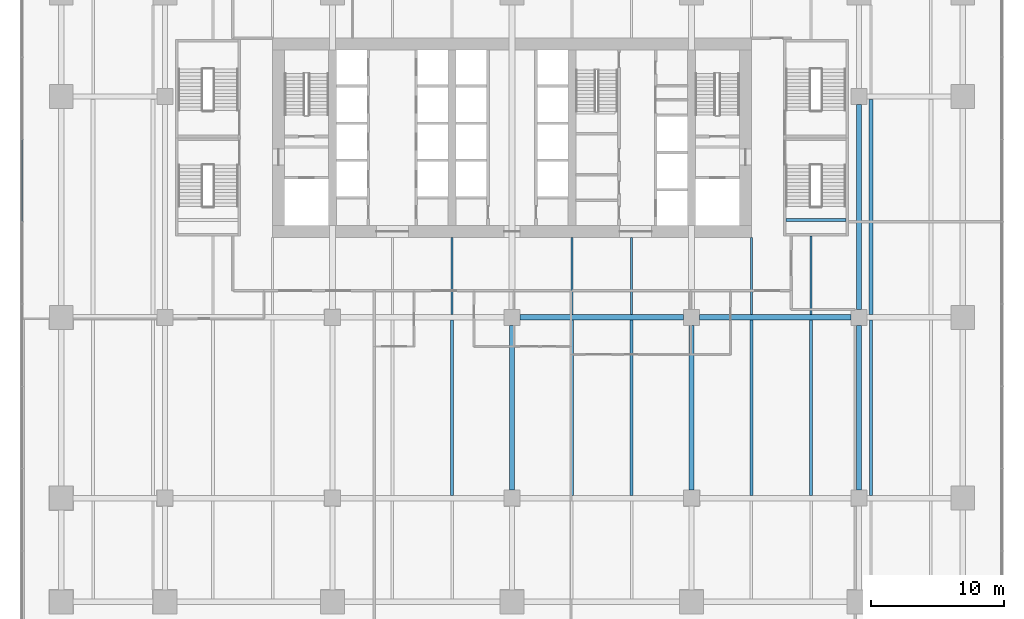
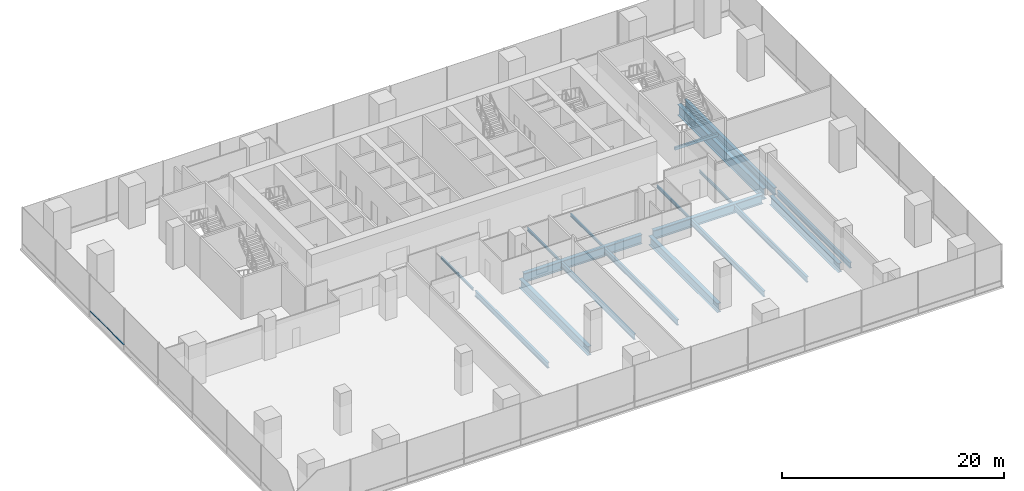
# One storey, part 8 of 28: 19 beams, 1 member, 1 element without a shape of its own.
"""IFC4 building model written with IfcOpenShell, lengths in metres."""

from ifc_helpers import new_model, si_unit, direction, frame, origin, origin_2d, place, context, subcontext, project, spatial, rectangle, i_section, extrude, material, layer, layer_set, material_profile, profile_set, type_object, element, aggregate, save


model = new_model("IFC4")

# Units and contexts
model_context = context("Model", 3, precision=1e-05, world=origin(), true_north=direction((0.0, 1.0)))
body_context = subcontext(model_context, "Body", "Model", "MODEL_VIEW")
ifc_project = project(units=[si_unit("LENGTHUNIT", "METRE"), si_unit("AREAUNIT", "SQUARE_METRE"), si_unit("VOLUMEUNIT", "CUBIC_METRE"), si_unit("PLANEANGLEUNIT", "RADIAN"), si_unit("MASSUNIT", "GRAM", prefix="KILO")], contexts=[model_context])

# Site, building, storey
site_placement = place(None, origin())
site = spatial("IfcSite", under=ifc_project, at=site_placement, CompositionType="ELEMENT")
building_placement = place(site_placement, origin())
building = spatial("IfcBuilding", under=site, at=building_placement, Name="Rattan Terrace Tower", CompositionType="ELEMENT")
storey_placement = place(building_placement, frame((0.0, 0.0, 17.39990234375)))
storey = spatial("IfcBuildingStorey", under=building, at=storey_placement, Name="L03", CompositionType="ELEMENT", Elevation=17.39990234375)

# Beams
ifc_material_1 = material(Name="Concrete C40/50", Category="concrete")
ifc_material_profile_1 = material_profile(ifc_material_1, rectangle(XDim=0.199951171875, YDim=0.300048828125, at=origin_2d()), Name="RC 200x300")
ifc_profile_set_1 = profile_set([ifc_material_profile_1], Name="Concrete C40/50")
beam_type_1 = type_object("IfcBeamType", Name="Core landing beam RC 200x300", PredefinedType="BEAM", material=ifc_profile_set_1)
beam_1_placement = place(storey_placement, frame((20.60009765625, -6.18505859375, 2.050048828125), z_axis=(1.0, 0.0, 0.0), x_axis=(0.0, 1.0, 0.0)))
element("IfcBeam", 1, at=beam_1_placement, inside=storey, type_object=beam_type_1, Name="st-S6-L03 landing 1 edge beam", PredefinedType="BEAM", context=body_context, shape_type="SweptSolid", body=[
    extrude(rectangle(XDim=0.199951171875, YDim=0.300048828125, at=origin_2d()), origin(), (0.0, 0.0, 1.0), 4.5),
])
ifc_material_2 = material(Name="Steel S355", Category="steel")
ifc_material_profile_2 = material_profile(ifc_material_2, i_section(OverallWidth=0.300048828125, OverallDepth=0.800048828125, WebThickness=0.017578125, FlangeThickness=0.032958984375, FilletRadius=0.030029296875, at=origin_2d()), Name="HE 800 B")
ifc_profile_set_2 = profile_set([ifc_material_profile_2], Name="Steel S355")
beam_type_2 = type_object("IfcBeamType", Name="Frame floor beam HE 800 B", PredefinedType="JOIST", material=ifc_profile_set_2)
beam_2_placement = place(storey_placement, frame((27.0, -13.300048828125, -0.599853515625), z_axis=(0.0, 1.0, 0.0), x_axis=(-1.0, 0.0, 0.0)))
element("IfcBeam", 2, at=beam_2_placement, inside=storey, type_object=beam_type_2, Name="bm-L03-037", PredefinedType="JOIST", context=body_context, shape_type="SweptSolid", body=[
    extrude(i_section(OverallWidth=0.300048828125, OverallDepth=0.800048828125, WebThickness=0.017578125, FlangeThickness=0.032958984375, FilletRadius=0.030029296875, at=origin_2d()), origin(), (0.0, 0.0, 1.0), 16.199951171875),
])
ifc_material_3 = material(Name="Steel S355", Category="steel")
ifc_material_profile_3 = material_profile(ifc_material_3, i_section(OverallWidth=0.14990234375, OverallDepth=0.300048828125, WebThickness=0.007080078125, FlangeThickness=0.0107421875, FilletRadius=0.014892578125, at=origin_2d()), Name="IPE 300")
ifc_profile_set_3 = profile_set([ifc_material_profile_3], Name="Steel S355")
beam_type_3 = type_object("IfcBeamType", Name="Frame floor beam IPE 300", PredefinedType="JOIST", material=ifc_profile_set_3)
for number, where, z_axis, x_axis, name in (
    (3, (-4.5, -13.300048828125, -0.349853515625), (0.0, 1.0, 0.0), (-1.0, 0.0, 0.0), "bm-L03-032"),
    (4, (4.5, -13.300048828125, -0.349853515625), (0.0, 1.0, 0.0), (-1.0, 0.0, 0.0), "bm-L03-033"),
    (5, (9.0, -13.300048828125, -0.349853515625), (0.0, 1.0, 0.0), (-1.0, 0.0, 0.0), "bm-L03-034"),
    (6, (18.0, -13.300048828125, -0.349853515625), (0.0, 1.0, 0.0), (-1.0, 0.0, 0.0), "bm-L03-035"),
):
    element("IfcBeam", number, at=place(storey_placement, frame(where, z_axis=z_axis, x_axis=x_axis)), inside=storey, type_object=beam_type_3, Name=name, PredefinedType="JOIST", context=body_context, shape_type="SweptSolid", body=[
        extrude(i_section(OverallWidth=0.14990234375, OverallDepth=0.300048828125, WebThickness=0.007080078125, FlangeThickness=0.0107421875, FilletRadius=0.014892578125, at=origin_2d()), origin(), (0.0, 0.0, 1.0), 5.800048828125),
    ])
beam_3_placement = place(storey_placement, frame((22.5, -13.300048828125, -0.349853515625), z_axis=(0.0, 1.0, 0.0), x_axis=(-1.0, 0.0, 0.0)))
element("IfcBeam", 7, at=beam_3_placement, inside=storey, type_object=beam_type_3, Name="bm-L03-036", PredefinedType="JOIST", context=body_context, shape_type="SweptSolid", body=[
    extrude(i_section(OverallWidth=0.14990234375, OverallDepth=0.300048828125, WebThickness=0.007080078125, FlangeThickness=0.0107421875, FilletRadius=0.014892578125, at=origin_2d()), origin(), (0.0, 0.0, 1.0), 5.900146484375),
])
ifc_material_4 = material(Name="Steel S355", Category="steel")
ifc_material_profile_4 = material_profile(ifc_material_4, i_section(OverallWidth=0.22412109375, OverallDepth=0.610107421875, WebThickness=0.014892578125, FlangeThickness=0.02392578125, FilletRadius=0.02392578125, at=origin_2d()), Name="IPE O 600")
ifc_profile_set_4 = profile_set([ifc_material_profile_4], Name="Steel S355")
beam_type_4 = type_object("IfcBeamType", Name="Frame floor beam IPE O 600", PredefinedType="JOIST", material=ifc_profile_set_4)
for number, where, z_axis, x_axis, name in (
    (8, (-4.5, -26.89990234375, -0.5048828125), (0.0, 1.0, 0.0), (-1.0, 0.0, 0.0), "bm-L03-020"),
    (9, (4.5, -26.89990234375, -0.5048828125), (0.0, 1.0, 0.0), (-1.0, 0.0, 0.0), "bm-L03-021"),
    (10, (9.0, -26.89990234375, -0.5048828125), (0.0, 1.0, 0.0), (-1.0, 0.0, 0.0), "bm-L03-022"),
    (11, (18.0, -26.89990234375, -0.5048828125), (0.0, 1.0, 0.0), (-1.0, 0.0, 0.0), "bm-L03-023"),
    (12, (22.5, -26.89990234375, -0.5048828125), (0.0, 1.0, 0.0), (-1.0, 0.0, 0.0), "bm-L03-024"),
    (13, (27.0, -26.89990234375, -0.5048828125), (0.0, 1.0, 0.0), (-1.0, 0.0, 0.0), "bm-L03-025"),
):
    element("IfcBeam", number, at=place(storey_placement, frame(where, z_axis=z_axis, x_axis=x_axis)), inside=storey, type_object=beam_type_4, Name=name, PredefinedType="JOIST", context=body_context, shape_type="SweptSolid", body=[
        extrude(i_section(OverallWidth=0.22412109375, OverallDepth=0.610107421875, WebThickness=0.014892578125, FlangeThickness=0.02392578125, FilletRadius=0.02392578125, at=origin_2d()), origin(), (0.0, 0.0, 1.0), 13.199951171875),
    ])
ifc_material_5 = material(Name="Steel S460", Category="steel")
ifc_material_profile_5 = material_profile(ifc_material_5, i_section(OverallWidth=0.39990234375, OverallDepth=1.0, WebThickness=0.01806640625, FlangeThickness=0.044921875, at=origin_2d()), Name="PG 1000x400-18-45")
ifc_profile_set_5 = profile_set([ifc_material_profile_5], Name="Steel S460")
beam_type_5 = type_object("IfcBeamType", Name="Frame podium girder PG 1000x400-18-45", PredefinedType="USERDEFINED", material=ifc_profile_set_5)
for number, where, z_axis, x_axis, name in (
    (14, (0.0, -26.5, -0.699951171875), (0.0, 1.0, 0.0), (-1.0, 0.0, 0.0), "gdr-L03-022"),
    (15, (13.5, -26.5, -0.699951171875), (0.0, 1.0, 0.0), (-1.0, 0.0, 0.0), "gdr-L03-023"),
    (16, (26.10009765625, -26.5, -0.699951171875), (0.0, 1.0, 0.0), (-1.0, 0.0, 0.0), "gdr-L03-024"),
):
    element("IfcBeam", number, at=place(storey_placement, frame(where, z_axis=z_axis, x_axis=x_axis)), inside=storey, type_object=beam_type_5, Name=name, ObjectType="PODIUM GIRDER", PredefinedType="USERDEFINED", context=body_context, shape_type="SweptSolid", body=[
        extrude(i_section(OverallWidth=0.39990234375, OverallDepth=1.0, WebThickness=0.01806640625, FlangeThickness=0.044921875, at=origin_2d()), origin(), (0.0, 0.0, 1.0), 12.39990234375),
    ])
beam_4_placement = place(storey_placement, frame((0.60009765625, -13.5, -0.699951171875), z_axis=(1.0, 0.0, 0.0), x_axis=(0.0, 1.0, 0.0)))
element("IfcBeam", 17, at=beam_4_placement, inside=storey, type_object=beam_type_5, Name="gdr-L03-030", ObjectType="PODIUM GIRDER", PredefinedType="USERDEFINED", context=body_context, shape_type="SweptSolid", body=[
    extrude(i_section(OverallWidth=0.39990234375, OverallDepth=1.0, WebThickness=0.01806640625, FlangeThickness=0.044921875, at=origin_2d()), origin(), (0.0, 0.0, 1.0), 12.2998046875),
])
beam_5_placement = place(storey_placement, frame((14.10009765625, -13.5, -0.699951171875), z_axis=(1.0, 0.0, 0.0), x_axis=(0.0, 1.0, 0.0)))
element("IfcBeam", 18, at=beam_5_placement, inside=storey, type_object=beam_type_5, Name="gdr-L03-031", ObjectType="PODIUM GIRDER", PredefinedType="USERDEFINED", context=body_context, shape_type="SweptSolid", body=[
    extrude(i_section(OverallWidth=0.39990234375, OverallDepth=1.0, WebThickness=0.01806640625, FlangeThickness=0.044921875, at=origin_2d()), origin(), (0.0, 0.0, 1.0), 11.39990234375),
])
ifc_material_6 = material(Name="Steel S460", Category="steel")
ifc_material_profile_6 = material_profile(ifc_material_6, i_section(OverallWidth=0.39990234375, OverallDepth=1.199951171875, WebThickness=0.02001953125, FlangeThickness=0.050048828125, at=origin_2d()), Name="PG 1200x400-20-50")
ifc_profile_set_6 = profile_set([ifc_material_profile_6], Name="Steel S460")
beam_type_6 = type_object("IfcBeamType", Name="Frame podium girder PG 1200x400-20-50", PredefinedType="USERDEFINED", material=ifc_profile_set_6)
beam_6_placement = place(storey_placement, frame((26.10009765625, -12.89990234375, -0.7998046875), z_axis=(0.0, 1.0, 0.0), x_axis=(-1.0, 0.0, 0.0)))
element("IfcBeam", 19, at=beam_6_placement, inside=storey, type_object=beam_type_6, Name="gdr-L03-037", ObjectType="PODIUM GIRDER", PredefinedType="USERDEFINED", context=body_context, shape_type="SweptSolid", body=[
    extrude(i_section(OverallWidth=0.39990234375, OverallDepth=1.199951171875, WebThickness=0.02001953125, FlangeThickness=0.050048828125, at=origin_2d()), origin(), (0.0, 0.0, 1.0), 15.39990234375),
])

# Curtain wall, member
ifc_material_7 = material(Name="Aluminium and glass", Category="aluminium")
ifc_layer = layer(ifc_material_7, 0.1201171875)
ifc_layer_set = layer_set([ifc_layer], Name="Station Storefront Curtain Wall")
curtain_wall_type = type_object("IfcCurtainWallType", Name="Station Storefront Curtain Wall", PredefinedType="NOTDEFINED", material=ifc_layer_set)
curtain_wall_placement = place(storey_placement, origin())
curtain_wall = element("IfcCurtainWall", 20, at=curtain_wall_placement, inside=storey, type_object=curtain_wall_type, Name="Storefront curtain wall L03-3", PredefinedType="NOTDEFINED")
ifc_material_8 = material(Name="Aluminium", Category="aluminium")
ifc_material_profile_7 = material_profile(ifc_material_8, rectangle(XDim=0.10009765625, YDim=0.050048828125, at=origin_2d()), Name="Aluminium 100x50")
ifc_profile_set_7 = profile_set([ifc_material_profile_7], Name="Aluminium")
member_type = type_object("IfcMemberType", Name="Storefront CW Transom 100x50", PredefinedType="USERDEFINED", material=ifc_profile_set_7)
member_placement = place(storey_placement, frame((-36.830078125, -0.15087890625, 0.60009765625), z_axis=(0.0, -1.0, 0.0), x_axis=(1.0, 0.0, 0.0)))
member = element("IfcMember", 21, at=member_placement, type_object=member_type, Name="Transom cwl-L03-003.3", ObjectType="TRANSOM", PredefinedType="USERDEFINED", context=body_context, shape_type="SweptSolid", body=[
    extrude(rectangle(XDim=0.10009765625, YDim=0.050048828125, at=origin_2d()), origin(), (0.0, 0.0, 1.0), 6.13818359375),
])
aggregate(curtain_wall, [member])

save(model, "model.ifc")
